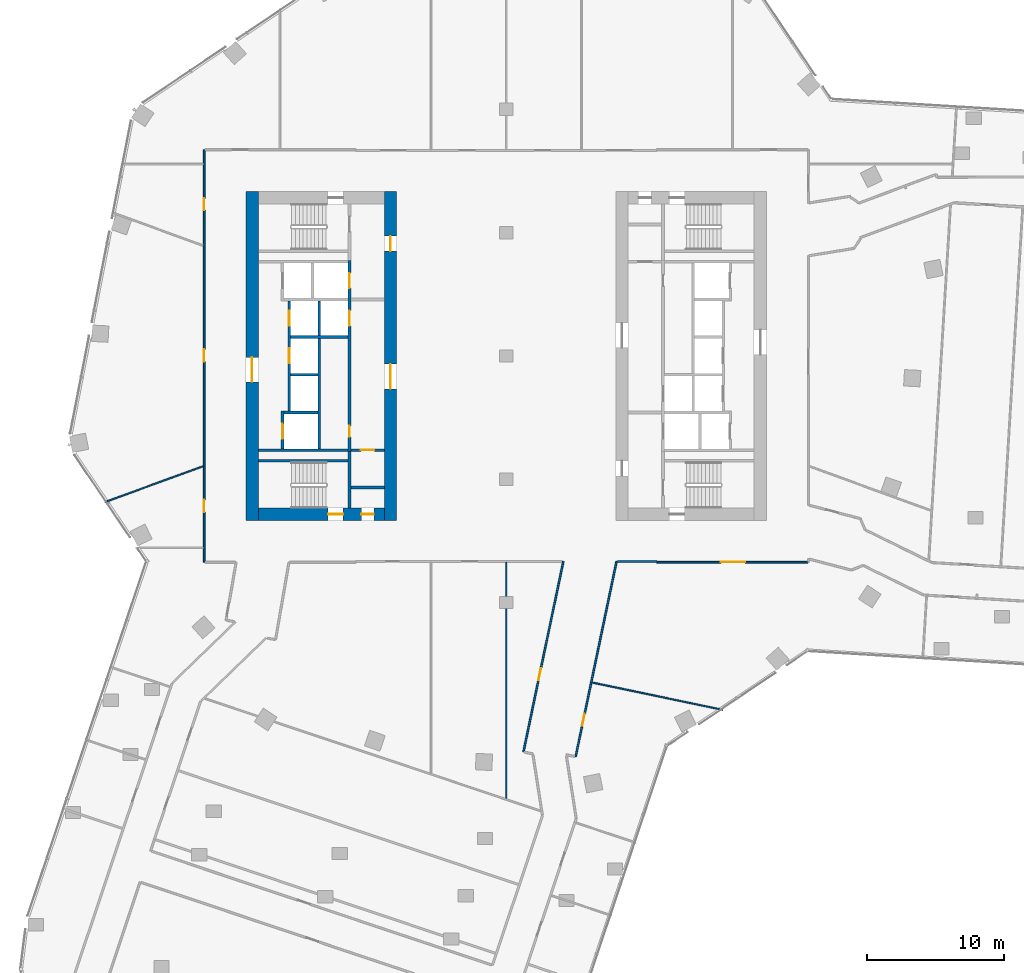
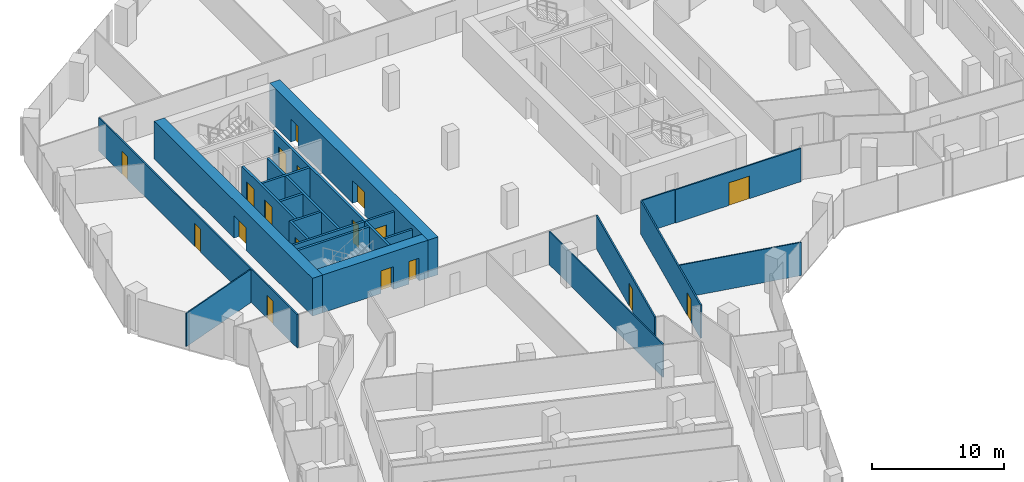
# One storey, part 23 of 32: 24 walls, 18 doors, 18 openings.
"""IFC4 building model written with IfcOpenShell, lengths in metres."""

from ifc_helpers import new_model, si_unit, direction, frame, frame_2d, origin, place, context, subcontext, project, spatial, rectangle, extrude, material, layer, layer_set, type_object, element, fill, save


model = new_model("IFC4")

# Units and contexts
model_context = context("Model", 3, precision=1e-05, world=origin(), true_north=direction((0.0, 1.0)))
body_context = subcontext(model_context, "Body", "Model", "MODEL_VIEW")
ifc_project = project(units=[si_unit("LENGTHUNIT", "METRE"), si_unit("AREAUNIT", "SQUARE_METRE"), si_unit("VOLUMEUNIT", "CUBIC_METRE"), si_unit("PLANEANGLEUNIT", "RADIAN"), si_unit("MASSUNIT", "GRAM", prefix="KILO")], contexts=[model_context])

# Site, building, storey
site_placement = place(None, origin())
site = spatial("IfcSite", under=ifc_project, at=site_placement, CompositionType="ELEMENT")
building_placement = place(site_placement, origin())
building = spatial("IfcBuilding", under=site, at=building_placement, Name="Orlundy Tower", CompositionType="ELEMENT")
storey_placement = place(building_placement, frame((0.0, 0.0, 152.60009765625)))
storey = spatial("IfcBuildingStorey", under=building, at=storey_placement, Name="L39", CompositionType="ELEMENT", Elevation=152.60009765625)

# Wall, openings, doors
ifc_material_1 = material(Name="Concrete C70/85", Category="concrete")
ifc_layer_1 = layer(ifc_material_1, 0.89990234375)
ifc_layer_set_1 = layer_set([ifc_layer_1], Name="CORE WALL 900 C70/85")
wall_type_1 = type_object("IfcWallType", Name="CORE WALL 900 C70/85", PredefinedType="SHEAR", material=ifc_layer_set_1)
wall_1_placement = place(storey_placement, frame((-18.10009765625, -11.550048828125, 0.0), z_axis=(0.0, 0.0, 1.0), x_axis=(1.0, 0.0, 0.0)))
wall_1 = element("IfcWall", 1, at=wall_1_placement, inside=storey, type_object=wall_type_1, Name="Core wall W-S L39", PredefinedType="SHEAR", context=body_context, shape_type="SweptSolid", body=[
    extrude(rectangle(XDim=9.2001953125, YDim=0.89990234375, at=frame_2d((4.60009765625, 0.0))), origin(), (0.0, 0.0, 1.0), 3.5),
])
opening_1_placement = place(wall_1_placement, frame((5.10009765625, 0.0, 0.0)))
opening_1 = element("IfcOpeningElement", 2, at=opening_1_placement, cuts=wall_1, Name="Opening 30012", PredefinedType="OPENING", context=body_context, shape_type="SweptSolid", body=[
    extrude(rectangle(XDim=1.10009765625, YDim=2.10009765625, at=frame_2d((0.550048828125, 1.050048828125))), frame((0.0, 0.4599609375, 0.0), z_axis=(0.0, -1.0, 0.0), x_axis=(1.0, 0.0, 0.0)), (0.0, 0.0, 1.0), 0.919921875),
])
opening_2_placement = place(wall_1_placement, frame((7.530029296875, 0.0, 0.0)))
opening_2 = element("IfcOpeningElement", 3, at=opening_2_placement, cuts=wall_1, Name="Opening 30014", PredefinedType="OPENING", context=body_context, shape_type="SweptSolid", body=[
    extrude(rectangle(XDim=0.89990234375, YDim=2.10009765625, at=frame_2d((0.449951171875, 1.050048828125))), frame((0.0, 0.4599609375, 0.0), z_axis=(0.0, -1.0, 0.0), x_axis=(1.0, 0.0, 0.0)), (0.0, 0.0, 1.0), 0.919921875),
])
ifc_material_2 = material(Name="Timber door set", Category="wood")
door_type_1 = type_object("IfcDoorType", Name="Room Door 900x2100", OperationType="SINGLE_SWING_LEFT", PredefinedType="DOOR", material=ifc_material_2)
door_1_placement = place(opening_2_placement, origin())
door_1 = element("IfcDoor", 4, at=door_1_placement, inside=storey, type_object=door_type_1, Name="Store door 30014", OperationType="SINGLE_SWING_RIGHT", OverallHeight=2.10009765625, OverallWidth=0.89990234375, PredefinedType="DOOR", context=body_context, shape_type="SweptSolid", body=[
    extrude(rectangle(XDim=0.89990234375, YDim=2.10009765625, at=frame_2d((0.449951171875, 1.050048828125))), frame((0.0, 0.02490234375, 0.0), z_axis=(0.0, -1.0, 0.0), x_axis=(1.0, 0.0, 0.0)), (0.0, 0.0, 1.0), 0.050048828125),
])
fill(opening_2, door_1)
ifc_material_3 = material(Name="Steel door set", Category="steel")
door_type_2 = type_object("IfcDoorType", Name="Stair Door 1100x2100", OperationType="SINGLE_SWING_LEFT", PredefinedType="DOOR", material=ifc_material_3)
door_2_placement = place(opening_1_placement, origin())
door_2 = element("IfcDoor", 5, at=door_2_placement, inside=storey, type_object=door_type_2, Name="Stair door 30012", OperationType="SINGLE_SWING_RIGHT", OverallHeight=2.10009765625, OverallWidth=1.10009765625, PredefinedType="DOOR", context=body_context, shape_type="SweptSolid", body=[
    extrude(rectangle(XDim=1.10009765625, YDim=2.10009765625, at=frame_2d((0.550048828125, 1.050048828125))), frame((0.0, 0.02490234375, 0.0), z_axis=(0.0, -1.0, 0.0), x_axis=(1.0, 0.0, 0.0)), (0.0, 0.0, 1.0), 0.050048828125),
])
fill(opening_1, door_2)

# Wall, opening, door
wall_2_placement = place(storey_placement, frame((-18.550048828125, -12.0, 0.0), z_axis=(0.0, 0.0, 1.0), x_axis=(0.0, 1.0, 0.0)))
wall_2 = element("IfcWall", 6, at=wall_2_placement, inside=storey, type_object=wall_type_1, Name="Core wall W-W L39", PredefinedType="SHEAR", context=body_context, shape_type="SweptSolid", body=[
    extrude(rectangle(XDim=24.0, YDim=0.89990234375, at=frame_2d((12.0, 0.0))), origin(), (0.0, 0.0, 1.0), 3.5),
])
opening_3_placement = place(wall_2_placement, frame((10.10009765625, 0.0, 0.0)))
opening_3 = element("IfcOpeningElement", 7, at=opening_3_placement, cuts=wall_2, Name="Opening 30009", PredefinedType="OPENING", context=body_context, shape_type="SweptSolid", body=[
    extrude(rectangle(XDim=1.800048828125, YDim=2.10009765625, at=frame_2d((0.89990234375, 1.050048828125))), frame((0.0, 0.4599609375, 0.0), z_axis=(0.0, -1.0, 0.0), x_axis=(1.0, 0.0, 0.0)), (0.0, 0.0, 1.0), 0.919921875),
])
ifc_material_4 = material(Name="Timber door set", Category="wood")
door_type_3 = type_object("IfcDoorType", Name="Lobby Door 1800x2100", OperationType="DOUBLE_DOOR_DOUBLE_SWING", PredefinedType="DOOR", material=ifc_material_4)
door_3_placement = place(opening_3_placement, origin())
door_3 = element("IfcDoor", 8, at=door_3_placement, inside=storey, type_object=door_type_3, Name="Lift lobby door 30009", OperationType="SINGLE_SWING_LEFT", OverallHeight=2.10009765625, OverallWidth=1.800048828125, PredefinedType="DOOR", context=body_context, shape_type="SweptSolid", body=[
    extrude(rectangle(XDim=1.800048828125, YDim=2.10009765625, at=frame_2d((0.89990234375, 1.050048828125))), frame((0.0, 0.02490234375, 0.0), z_axis=(0.0, -1.0, 0.0), x_axis=(1.0, 0.0, 0.0)), (0.0, 0.0, 1.0), 0.050048828125),
])
fill(opening_3, door_3)

# Wall, openings, doors
wall_3_placement = place(storey_placement, frame((-8.449951171875, -12.0, 0.0), z_axis=(0.0, 0.0, 1.0), x_axis=(0.0, 1.0, 0.0)))
wall_3 = element("IfcWall", 9, at=wall_3_placement, inside=storey, type_object=wall_type_1, Name="Core wall W-E L39", PredefinedType="SHEAR", context=body_context, shape_type="SweptSolid", body=[
    extrude(rectangle(XDim=24.0, YDim=0.89990234375, at=frame_2d((12.0, 0.0))), origin(), (0.0, 0.0, 1.0), 3.5),
])
opening_4_placement = place(wall_3_placement, frame((9.60009765625, 0.0, 0.0)))
opening_4 = element("IfcOpeningElement", 10, at=opening_4_placement, cuts=wall_3, Name="Opening 30008", PredefinedType="OPENING", context=body_context, shape_type="SweptSolid", body=[
    extrude(rectangle(XDim=1.800048828125, YDim=2.10009765625, at=frame_2d((0.89990234375, 1.050048828125))), frame((0.0, 0.4599609375, 0.0), z_axis=(0.0, -1.0, 0.0), x_axis=(1.0, 0.0, 0.0)), (0.0, 0.0, 1.0), 0.919921875),
])
opening_5_placement = place(wall_3_placement, frame((19.64990234375, 0.0, 0.0)))
opening_5 = element("IfcOpeningElement", 11, at=opening_5_placement, cuts=wall_3, Name="Opening 30010", PredefinedType="OPENING", context=body_context, shape_type="SweptSolid", body=[
    extrude(rectangle(XDim=1.10009765625, YDim=2.10009765625, at=frame_2d((0.550048828125, 1.050048828125))), frame((0.0, 0.4599609375, 0.0), z_axis=(0.0, -1.0, 0.0), x_axis=(1.0, 0.0, 0.0)), (0.0, 0.0, 1.0), 0.919921875),
])
ifc_material_5 = material(Name="Steel door set", Category="steel")
door_type_4 = type_object("IfcDoorType", Name="Fire-fighting Lobby Door 1100x2100", OperationType="SINGLE_SWING_LEFT", PredefinedType="DOOR", material=ifc_material_5)
door_4_placement = place(opening_5_placement, origin())
door_4 = element("IfcDoor", 12, at=door_4_placement, inside=storey, type_object=door_type_4, Name="Fire-fighting lobby door 30010", OperationType="SINGLE_SWING_RIGHT", OverallHeight=2.10009765625, OverallWidth=1.10009765625, PredefinedType="DOOR", context=body_context, shape_type="SweptSolid", body=[
    extrude(rectangle(XDim=1.10009765625, YDim=2.10009765625, at=frame_2d((0.550048828125, 1.050048828125))), frame((0.0, 0.02490234375, 0.0), z_axis=(0.0, -1.0, 0.0), x_axis=(1.0, 0.0, 0.0)), (0.0, 0.0, 1.0), 0.050048828125),
])
fill(opening_5, door_4)
door_5_placement = place(opening_4_placement, origin())
door_5 = element("IfcDoor", 13, at=door_5_placement, inside=storey, type_object=door_type_3, Name="Lift lobby door 30008", OperationType="SINGLE_SWING_LEFT", OverallHeight=2.10009765625, OverallWidth=1.800048828125, PredefinedType="DOOR", context=body_context, shape_type="SweptSolid", body=[
    extrude(rectangle(XDim=1.800048828125, YDim=2.10009765625, at=frame_2d((0.89990234375, 1.050048828125))), frame((0.0, 0.02490234375, 0.0), z_axis=(0.0, -1.0, 0.0), x_axis=(1.0, 0.0, 0.0)), (0.0, 0.0, 1.0), 0.050048828125),
])
fill(opening_4, door_5)

# Walls
ifc_material_6 = material(Name="Gypsum board partition")
ifc_layer_2 = layer(ifc_material_6, 0.10009765625)
ifc_layer_set_2 = layer_set([ifc_layer_2], Name="Floor partition 100")
wall_type_2 = type_object("IfcWallType", Name="Floor partition 100", PredefinedType="PARTITIONING", material=ifc_layer_set_2)
wall_4_placement = place(storey_placement, frame((6.262939453125, -23.8349609375, 0.0), z_axis=(0.0, 0.0, 1.0), x_axis=(0.978787353233, -0.204878786483, 0.0)))
element("IfcWall", 14, at=wall_4_placement, inside=storey, type_object=wall_type_2, Name="wall-int-L39-031", PredefinedType="PARTITIONING", context=body_context, shape_type="SweptSolid", body=[
    extrude(rectangle(XDim=9.742919921875, YDim=0.10009765625, at=frame_2d((4.87158203125, 0.0))), origin(), (0.0, 0.0, 1.0), 3.079833984375),
])
wall_5_placement = place(storey_placement, frame((-29.2958984375, -10.6630859375, 0.0), z_axis=(0.0, 0.0, 1.0), x_axis=(0.9396952375, 0.342012953877, 0.0)))
element("IfcWall", 15, at=wall_5_placement, inside=storey, type_object=wall_type_2, Name="wall-int-L39-060", PredefinedType="PARTITIONING", context=body_context, shape_type="SweptSolid", body=[
    extrude(rectangle(XDim=7.6259765625, YDim=0.10009765625, at=frame_2d((3.81298828125, 0.0))), origin(), (0.0, 0.0, 1.0), 3.079833984375),
])
wall_6_placement = place(storey_placement, frame((0.0, -32.297119140625, 0.0), z_axis=(0.0, 0.0, 1.0), x_axis=(0.0, 1.0, 0.0)))
element("IfcWall", 16, at=wall_6_placement, inside=storey, type_object=wall_type_2, Name="wall-int-L39-101", PredefinedType="PARTITIONING", context=body_context, shape_type="SweptSolid", body=[
    extrude(rectangle(XDim=17.235107421875, YDim=0.10009765625, at=frame_2d((8.61767578125, 0.0))), origin(), (0.0, 0.0, 1.0), 3.079833984375),
])

# Wall, opening, door
ifc_material_7 = material(Name="Gypsum board partition, double layer")
ifc_layer_3 = layer(ifc_material_7, 0.125)
ifc_layer_set_3 = layer_set([ifc_layer_3], Name="Floor partition 125")
wall_type_3 = type_object("IfcWallType", Name="Floor partition 125", PredefinedType="PARTITIONING", material=ifc_layer_set_3)
wall_7_placement = place(storey_placement, frame((21.988037109375, -15.051025390625, 0.0), z_axis=(0.0, 0.0, 1.0), x_axis=(-1.0, 0.0, 0.0)))
wall_7 = element("IfcWall", 17, at=wall_7_placement, inside=storey, type_object=wall_type_3, Name="wall-int-L39-048", PredefinedType="PARTITIONING", context=body_context, shape_type="SweptSolid", body=[
    extrude(rectangle(XDim=10.9970703125, YDim=0.125, at=frame_2d((5.49853515625, 0.0))), origin(), (0.0, 0.0, 1.0), 3.079833984375),
])
opening_6_placement = place(wall_7_placement, frame((4.53759765625, 0.0, 0.0)))
opening_6 = element("IfcOpeningElement", 18, at=opening_6_placement, cuts=wall_7, Name="Opening 30125", PredefinedType="OPENING", context=body_context, shape_type="SweptSolid", body=[
    extrude(rectangle(XDim=1.800048828125, YDim=2.10009765625, at=frame_2d((0.89990234375, 1.050048828125))), frame((0.0, 0.072509765625, 0.0), z_axis=(0.0, -1.0, 0.0), x_axis=(1.0, 0.0, 0.0)), (0.0, 0.0, 1.0), 0.14501953125),
])
ifc_material_8 = material(Name="Timber door leaf", Category="wood")
door_type_5 = type_object("IfcDoorType", Name="Floor door double 1800 FD30S", OperationType="NOTDEFINED", PredefinedType="DOOR", material=ifc_material_8)
door_6_placement = place(opening_6_placement, origin())
door_6 = element("IfcDoor", 19, at=door_6_placement, inside=storey, type_object=door_type_5, Name="Door 30125", OperationType="DOUBLE_DOOR_SINGLE_SWING", OverallHeight=2.10009765625, OverallWidth=1.800048828125, PredefinedType="DOOR", context=body_context, shape_type="SweptSolid", body=[
    extrude(rectangle(XDim=1.800048828125, YDim=2.10009765625, at=frame_2d((0.89990234375, 1.050048828125))), frame((0.0, 0.02490234375, 0.0), z_axis=(0.0, -1.0, 0.0), x_axis=(1.0, 0.0, 0.0)), (0.0, 0.0, 1.0), 0.050048828125),
])
fill(opening_6, door_6)

# Wall
wall_8_placement = place(storey_placement, frame((8.125, -15.0, 0.0), z_axis=(0.0, 0.0, 1.0), x_axis=(0.999999941907, -0.000340860653, 0.0)))
element("IfcWall", 20, at=wall_8_placement, inside=storey, type_object=wall_type_3, Name="wall-int-L39-050", PredefinedType="PARTITIONING", context=body_context, shape_type="SweptSolid", body=[
    extrude(rectangle(XDim=2.864990234375, YDim=0.125, at=frame_2d((1.4326171875, 0.0))), origin(), (0.0, 0.0, 1.0), 3.079833984375),
])

# Wall, opening, door
wall_9_placement = place(storey_placement, frame((8.049072265625, -15.0029296875, 0.0), z_axis=(0.0, 0.0, 1.0), x_axis=(-0.205007019442, -0.97876050287, 0.0)))
wall_9 = element("IfcWall", 21, at=wall_9_placement, inside=storey, type_object=wall_type_3, Name="wall-int-L39-078", PredefinedType="PARTITIONING", context=body_context, shape_type="SweptSolid", body=[
    extrude(rectangle(XDim=14.55615234375, YDim=0.125, at=frame_2d((7.278076171875, 0.0))), origin(), (0.0, 0.0, 1.0), 3.079833984375),
])
opening_7_placement = place(wall_9_placement, frame((11.360107421875, 0.0, 0.0)))
opening_7 = element("IfcOpeningElement", 22, at=opening_7_placement, cuts=wall_9, Name="Opening 30124", PredefinedType="OPENING", context=body_context, shape_type="SweptSolid", body=[
    extrude(rectangle(XDim=0.89990234375, YDim=2.10009765625, at=frame_2d((0.449951171875, 1.050048828125))), frame((0.0, 0.072509765625, 0.0), z_axis=(0.0, -1.0, 0.0), x_axis=(1.0, 0.0, 0.0)), (0.0, 0.0, 1.0), 0.14501953125),
])
ifc_material_9 = material(Name="Timber door leaf", Category="wood")
door_type_6 = type_object("IfcDoorType", Name="Floor door single 900 FD30S", OperationType="NOTDEFINED", PredefinedType="DOOR", material=ifc_material_9)
door_7_placement = place(opening_7_placement, origin())
door_7 = element("IfcDoor", 23, at=door_7_placement, inside=storey, type_object=door_type_6, Name="Door 30124", OperationType="SINGLE_SWING_RIGHT", OverallHeight=2.10009765625, OverallWidth=0.89990234375, PredefinedType="DOOR", context=body_context, shape_type="SweptSolid", body=[
    extrude(rectangle(XDim=0.89990234375, YDim=2.10009765625, at=frame_2d((0.449951171875, 1.050048828125))), frame((0.0, 0.02490234375, 0.0), z_axis=(0.0, -1.0, 0.0), x_axis=(1.0, 0.0, 0.0)), (0.0, 0.0, 1.0), 0.050048828125),
])
fill(opening_7, door_7)

wall_10_placement = place(storey_placement, frame((1.2548828125, -28.89990234375, 0.0), z_axis=(0.0, 0.0, 1.0), x_axis=(0.204949727958, 0.978772501151, 0.0)))
wall_10 = element("IfcWall", 24, at=wall_10_placement, inside=storey, type_object=wall_type_3, Name="wall-int-L39-079", PredefinedType="PARTITIONING", context=body_context, shape_type="SweptSolid", body=[
    extrude(rectangle(XDim=14.199462890625, YDim=0.125, at=frame_2d((7.099609375, 0.0))), origin(), (0.0, 0.0, 1.0), 3.079833984375),
])
opening_8_placement = place(wall_10_placement, frame((5.35009765625, 0.0, 0.0)))
opening_8 = element("IfcOpeningElement", 25, at=opening_8_placement, cuts=wall_10, Name="Opening 30123", PredefinedType="OPENING", context=body_context, shape_type="SweptSolid", body=[
    extrude(rectangle(XDim=0.89990234375, YDim=2.10009765625, at=frame_2d((0.449951171875, 1.050048828125))), frame((0.0, 0.072509765625, 0.0), z_axis=(0.0, -1.0, 0.0), x_axis=(1.0, 0.0, 0.0)), (0.0, 0.0, 1.0), 0.14501953125),
])
door_8_placement = place(opening_8_placement, origin())
door_8 = element("IfcDoor", 26, at=door_8_placement, inside=storey, type_object=door_type_6, Name="Door 30123", OperationType="SINGLE_SWING_LEFT", OverallHeight=2.10009765625, OverallWidth=0.89990234375, PredefinedType="DOOR", context=body_context, shape_type="SweptSolid", body=[
    extrude(rectangle(XDim=0.89990234375, YDim=2.10009765625, at=frame_2d((0.449951171875, 1.050048828125))), frame((0.0, 0.02490234375, 0.0), z_axis=(0.0, -1.0, 0.0), x_axis=(1.0, 0.0, 0.0)), (0.0, 0.0, 1.0), 0.050048828125),
])
fill(opening_8, door_8)

# Wall, openings, doors
wall_11_placement = place(storey_placement, frame((-22.050048828125, -15.051025390625, 0.0), z_axis=(0.0, 0.0, 1.0), x_axis=(0.0, 1.0, 0.0)))
wall_11 = element("IfcWall", 27, at=wall_11_placement, inside=storey, type_object=wall_type_3, Name="wall-int-L39-105", PredefinedType="PARTITIONING", context=body_context, shape_type="SweptSolid", body=[
    extrude(rectangle(XDim=30.10205078125, YDim=0.125, at=frame_2d((15.051025390625, 0.0))), origin(), (0.0, 0.0, 1.0), 3.079833984375),
])
opening_9_placement = place(wall_11_placement, frame((14.625, 0.0, 0.0)))
opening_9 = element("IfcOpeningElement", 28, at=opening_9_placement, cuts=wall_11, Name="Opening 30118", PredefinedType="OPENING", context=body_context, shape_type="SweptSolid", body=[
    extrude(rectangle(XDim=0.89990234375, YDim=2.10009765625, at=frame_2d((0.449951171875, 1.050048828125))), frame((0.0, 0.072509765625, 0.0), z_axis=(0.0, -1.0, 0.0), x_axis=(1.0, 0.0, 0.0)), (0.0, 0.0, 1.0), 0.14501953125),
])
opening_10_placement = place(wall_11_placement, frame((3.65087890625, 0.0, 0.0)))
opening_10 = element("IfcOpeningElement", 29, at=opening_10_placement, cuts=wall_11, Name="Opening 30119", PredefinedType="OPENING", context=body_context, shape_type="SweptSolid", body=[
    extrude(rectangle(XDim=0.89990234375, YDim=2.10009765625, at=frame_2d((0.449951171875, 1.050048828125))), frame((0.0, 0.072509765625, 0.0), z_axis=(0.0, -1.0, 0.0), x_axis=(1.0, 0.0, 0.0)), (0.0, 0.0, 1.0), 0.14501953125),
])
opening_11_placement = place(wall_11_placement, frame((25.677001953125, 0.0, 0.0)))
opening_11 = element("IfcOpeningElement", 30, at=opening_11_placement, cuts=wall_11, Name="Opening 30135", PredefinedType="OPENING", context=body_context, shape_type="SweptSolid", body=[
    extrude(rectangle(XDim=0.89990234375, YDim=2.10009765625, at=frame_2d((0.449951171875, 1.050048828125))), frame((0.0, 0.072509765625, 0.0), z_axis=(0.0, -1.0, 0.0), x_axis=(1.0, 0.0, 0.0)), (0.0, 0.0, 1.0), 0.14501953125),
])
door_9_placement = place(opening_9_placement, origin())
door_9 = element("IfcDoor", 31, at=door_9_placement, inside=storey, type_object=door_type_6, Name="Door 30118", OperationType="SINGLE_SWING_RIGHT", OverallHeight=2.10009765625, OverallWidth=0.89990234375, PredefinedType="DOOR", context=body_context, shape_type="SweptSolid", body=[
    extrude(rectangle(XDim=0.89990234375, YDim=2.10009765625, at=frame_2d((0.449951171875, 1.050048828125))), frame((0.0, 0.02490234375, 0.0), z_axis=(0.0, -1.0, 0.0), x_axis=(1.0, 0.0, 0.0)), (0.0, 0.0, 1.0), 0.050048828125),
])
fill(opening_9, door_9)
door_10_placement = place(opening_10_placement, origin())
door_10 = element("IfcDoor", 32, at=door_10_placement, inside=storey, type_object=door_type_6, Name="Door 30119", OperationType="SINGLE_SWING_LEFT", OverallHeight=2.10009765625, OverallWidth=0.89990234375, PredefinedType="DOOR", context=body_context, shape_type="SweptSolid", body=[
    extrude(rectangle(XDim=0.89990234375, YDim=2.10009765625, at=frame_2d((0.449951171875, 1.050048828125))), frame((0.0, 0.02490234375, 0.0), z_axis=(0.0, -1.0, 0.0), x_axis=(1.0, 0.0, 0.0)), (0.0, 0.0, 1.0), 0.050048828125),
])
fill(opening_10, door_10)
door_11_placement = place(opening_11_placement, origin())
door_11 = element("IfcDoor", 33, at=door_11_placement, inside=storey, type_object=door_type_6, Name="Door 30135", OperationType="SINGLE_SWING_RIGHT", OverallHeight=2.10009765625, OverallWidth=0.89990234375, PredefinedType="DOOR", context=body_context, shape_type="SweptSolid", body=[
    extrude(rectangle(XDim=0.89990234375, YDim=2.10009765625, at=frame_2d((0.449951171875, 1.050048828125))), frame((0.0, 0.02490234375, 0.0), z_axis=(0.0, -1.0, 0.0), x_axis=(1.0, 0.0, 0.0)), (0.0, 0.0, 1.0), 0.050048828125),
])
fill(opening_11, door_11)

# Walls
ifc_material_10 = material(Name="Concrete C40/50", Category="concrete")
ifc_layer_4 = layer(ifc_material_10, 0.199951171875)
ifc_layer_set_4 = layer_set([ifc_layer_4], Name="Load-bearing Shaft Wall 200")
wall_type_4 = type_object("IfcWallType", Name="Load-bearing Shaft Wall 200", PredefinedType="SOLIDWALL", material=ifc_layer_set_4)
wall_12_placement = place(storey_placement, frame((-11.43994140625, -11.10009765625, 0.0), z_axis=(0.0, 0.0, 1.0), x_axis=(0.0, 1.0, 0.0)))
element("IfcWall", 34, at=wall_12_placement, inside=storey, type_object=wall_type_4, Name="Shaft wall W30-stair-end-s", PredefinedType="SOLIDWALL", context=body_context, shape_type="SweptSolid", body=[
    extrude(rectangle(XDim=4.125, YDim=0.199951171875, at=frame_2d((2.0625, 0.0))), origin(), (0.0, 0.0, 1.0), 3.08984375),
])
wall_13_placement = place(storey_placement, frame((-11.5400390625, -7.64990234375, 0.0), z_axis=(0.0, 0.0, 1.0), x_axis=(-1.0, 0.0, 0.0)))
element("IfcWall", 35, at=wall_13_placement, inside=storey, type_object=wall_type_4, Name="Shaft wall W30-stair-side-s", PredefinedType="SOLIDWALL", context=body_context, shape_type="SweptSolid", body=[
    extrude(rectangle(XDim=6.56005859375, YDim=0.199951171875, at=frame_2d((3.280029296875, 0.0))), origin(), (0.0, 0.0, 1.0), 3.08984375),
])

# Wall, opening, door
ifc_material_11 = material(Name="Gypsum board partition on steel studs", Category="steel")
ifc_layer_5 = layer(ifc_material_11, 0.199951171875)
ifc_layer_set_5 = layer_set([ifc_layer_5], Name="Partition 200")
wall_type_5 = type_object("IfcWallType", Name="Partition 200", PredefinedType="PARTITIONING", material=ifc_layer_set_5)
wall_14_placement = place(storey_placement, frame((-8.89990234375, -6.875, 0.0), z_axis=(0.0, 0.0, 1.0), x_axis=(-1.0, 0.0, 0.0)))
wall_14 = element("IfcWall", 36, at=wall_14_placement, inside=storey, type_object=wall_type_5, Name="Partition wall W30-end-s", PredefinedType="PARTITIONING", context=body_context, shape_type="SweptSolid", body=[
    extrude(rectangle(XDim=2.440185546875, YDim=0.199951171875, at=frame_2d((1.22021484375, 0.0))), origin(), (0.0, 0.0, 1.0), 3.08984375),
])
opening_12_placement = place(wall_14_placement, frame((0.719970703125, 0.0, 0.0)))
opening_12 = element("IfcOpeningElement", 37, at=opening_12_placement, cuts=wall_14, Name="Opening 30015", PredefinedType="OPENING", context=body_context, shape_type="SweptSolid", body=[
    extrude(rectangle(XDim=1.0, YDim=2.10009765625, at=frame_2d((0.5, 1.050048828125))), frame((0.0, 0.110107421875, 0.0), z_axis=(0.0, -1.0, 0.0), x_axis=(1.0, 0.0, 0.0)), (0.0, 0.0, 1.0), 0.22021484375),
])
ifc_material_12 = material(Name="Timber door set", Category="wood")
door_type_7 = type_object("IfcDoorType", Name="Accessible Door 1000x2100", OperationType="SINGLE_SWING_LEFT", PredefinedType="DOOR", material=ifc_material_12)
door_12_placement = place(opening_12_placement, origin())
door_12 = element("IfcDoor", 38, at=door_12_placement, inside=storey, type_object=door_type_7, Name="Accessible WC door 30015", OperationType="SINGLE_SWING_RIGHT", OverallHeight=2.10009765625, OverallWidth=1.0, PredefinedType="DOOR", context=body_context, shape_type="SweptSolid", body=[
    extrude(rectangle(XDim=1.0, YDim=2.10009765625, at=frame_2d((0.5, 1.050048828125))), frame((0.0, 0.02490234375, 0.0), z_axis=(0.0, -1.0, 0.0), x_axis=(1.0, 0.0, 0.0)), (0.0, 0.0, 1.0), 0.050048828125),
])
fill(opening_12, door_12)

# Walls
wall_15_placement = place(storey_placement, frame((-8.89990234375, -9.60009765625, 0.0), z_axis=(0.0, 0.0, 1.0), x_axis=(-1.0, 0.0, 0.0)))
element("IfcWall", 39, at=wall_15_placement, inside=storey, type_object=wall_type_5, Name="Partition wall W30-room-s0", PredefinedType="PARTITIONING", context=body_context, shape_type="SweptSolid", body=[
    extrude(rectangle(XDim=2.440185546875, YDim=0.199951171875, at=frame_2d((1.22021484375, 0.0))), origin(), (0.0, 0.0, 1.0), 3.08984375),
])
ifc_material_13 = material(Name="Fire-rated blockwork shaft wall", Category="masonry")
ifc_layer_6 = layer(ifc_material_13, 0.199951171875)
ifc_layer_set_6 = layer_set([ifc_layer_6], Name="Shaft Wall 200")
wall_type_6 = type_object("IfcWallType", Name="Shaft Wall 200", PredefinedType="SOLIDWALL", material=ifc_layer_set_6)
wall_16_placement = place(storey_placement, frame((-11.5400390625, -6.875, 0.0), z_axis=(0.0, 0.0, 1.0), x_axis=(-1.0, 0.0, 0.0)))
element("IfcWall", 40, at=wall_16_placement, inside=storey, type_object=wall_type_6, Name="Shaft wall W30-zone-s", PredefinedType="SOLIDWALL", context=body_context, shape_type="SweptSolid", body=[
    extrude(rectangle(XDim=6.56005859375, YDim=0.199951171875, at=frame_2d((3.280029296875, 0.0))), origin(), (0.0, 0.0, 1.0), 3.08984375),
])
wall_17_placement = place(storey_placement, frame((-13.739990234375, -4.125, 0.0), z_axis=(0.0, 0.0, 1.0), x_axis=(-1.0, 0.0, 0.0)))
element("IfcWall", 41, at=wall_17_placement, inside=storey, type_object=wall_type_6, Name="Shaft wall W30-cross-4.125", PredefinedType="SOLIDWALL", context=body_context, shape_type="SweptSolid", body=[
    extrude(rectangle(XDim=2.5, YDim=0.199951171875, at=frame_2d((1.25, 0.0))), origin(), (0.0, 0.0, 1.0), 3.08984375),
])
wall_18_placement = place(storey_placement, frame((-13.739990234375, -1.375, 0.0), z_axis=(0.0, 0.0, 1.0), x_axis=(-1.0, 0.0, 0.0)))
element("IfcWall", 42, at=wall_18_placement, inside=storey, type_object=wall_type_6, Name="Shaft wall W30-cross-1.375", PredefinedType="SOLIDWALL", context=body_context, shape_type="SweptSolid", body=[
    extrude(rectangle(XDim=2.0, YDim=0.199951171875, at=frame_2d((1.0, 0.0))), origin(), (0.0, 0.0, 1.0), 3.08984375),
])
wall_19_placement = place(storey_placement, frame((-11.5400390625, 1.375, 0.0), z_axis=(0.0, 0.0, 1.0), x_axis=(-1.0, 0.0, 0.0)))
element("IfcWall", 43, at=wall_19_placement, inside=storey, type_object=wall_type_6, Name="Shaft wall W30-cross+1.375", PredefinedType="SOLIDWALL", context=body_context, shape_type="SweptSolid", body=[
    extrude(rectangle(XDim=4.199951171875, YDim=0.199951171875, at=frame_2d((2.10009765625, 0.0))), origin(), (0.0, 0.0, 1.0), 3.08984375),
])

# Wall, openings, doors
wall_20_placement = place(storey_placement, frame((-11.43994140625, -6.97509765625, 0.0), z_axis=(0.0, 0.0, 1.0), x_axis=(0.0, 1.0, 0.0)))
wall_20 = element("IfcWall", 44, at=wall_20_placement, inside=storey, type_object=wall_type_6, Name="Shaft wall W30-front-h", PredefinedType="SOLIDWALL", context=body_context, shape_type="SweptSolid", body=[
    extrude(rectangle(XDim=13.9501953125, YDim=0.199951171875, at=frame_2d((6.97509765625, 0.0))), origin(), (0.0, 0.0, 1.0), 3.08984375),
])
opening_13_placement = place(wall_20_placement, frame((9.175048828125, 0.0, 0.0)))
opening_13 = element("IfcOpeningElement", 45, at=opening_13_placement, cuts=wall_20, Name="Opening 30003", PredefinedType="OPENING", context=body_context, shape_type="SweptSolid", body=[
    extrude(rectangle(XDim=1.10009765625, YDim=2.10009765625, at=frame_2d((0.550048828125, 1.050048828125))), frame((0.0, 0.110107421875, 0.0), z_axis=(0.0, -1.0, 0.0), x_axis=(1.0, 0.0, 0.0)), (0.0, 0.0, 1.0), 0.22021484375),
])
opening_14_placement = place(wall_20_placement, frame((11.925048828125, 0.0, 0.0)))
opening_14 = element("IfcOpeningElement", 46, at=opening_14_placement, cuts=wall_20, Name="Opening 30005", PredefinedType="OPENING", context=body_context, shape_type="SweptSolid", body=[
    extrude(rectangle(XDim=1.10009765625, YDim=2.10009765625, at=frame_2d((0.550048828125, 1.050048828125))), frame((0.0, 0.110107421875, 0.0), z_axis=(0.0, -1.0, 0.0), x_axis=(1.0, 0.0, 0.0)), (0.0, 0.0, 1.0), 0.22021484375),
])
opening_15_placement = place(wall_20_placement, frame((1.074951171875, 0.0, 0.0)))
opening_15 = element("IfcOpeningElement", 47, at=opening_15_placement, cuts=wall_20, Name="Opening 30007", PredefinedType="OPENING", context=body_context, shape_type="SweptSolid", body=[
    extrude(rectangle(XDim=0.800048828125, YDim=2.10009765625, at=frame_2d((0.39990234375, 1.050048828125))), frame((0.0, 0.110107421875, 0.0), z_axis=(0.0, -1.0, 0.0), x_axis=(1.0, 0.0, 0.0)), (0.0, 0.0, 1.0), 0.22021484375),
])
ifc_material_14 = material(Name="Steel door set", Category="steel")
door_type_8 = type_object("IfcDoorType", Name="Landing Door 1100x2100", OperationType="DOUBLE_DOOR_SLIDING", PredefinedType="DOOR", material=ifc_material_14)
door_13_placement = place(opening_13_placement, origin())
door_13 = element("IfcDoor", 48, at=door_13_placement, inside=storey, type_object=door_type_8, Name="Lift landing door LP-12 30003", OperationType="DOUBLE_DOOR_SLIDING", OverallHeight=2.10009765625, OverallWidth=1.10009765625, PredefinedType="DOOR", context=body_context, shape_type="SweptSolid", body=[
    extrude(rectangle(XDim=1.10009765625, YDim=2.10009765625, at=frame_2d((0.550048828125, 1.050048828125))), frame((0.0, 0.02490234375, 0.0), z_axis=(0.0, -1.0, 0.0), x_axis=(1.0, 0.0, 0.0)), (0.0, 0.0, 1.0), 0.050048828125),
])
fill(opening_13, door_13)
door_14_placement = place(opening_14_placement, origin())
door_14 = element("IfcDoor", 49, at=door_14_placement, inside=storey, type_object=door_type_8, Name="Lift landing door FL1 30005", OperationType="DOUBLE_DOOR_SLIDING", OverallHeight=2.10009765625, OverallWidth=1.10009765625, PredefinedType="DOOR", context=body_context, shape_type="SweptSolid", body=[
    extrude(rectangle(XDim=1.10009765625, YDim=2.10009765625, at=frame_2d((0.550048828125, 1.050048828125))), frame((0.0, 0.02490234375, 0.0), z_axis=(0.0, -1.0, 0.0), x_axis=(1.0, 0.0, 0.0)), (0.0, 0.0, 1.0), 0.050048828125),
])
fill(opening_14, door_14)
ifc_material_15 = material(Name="Timber door set", Category="wood")
door_type_9 = type_object("IfcDoorType", Name="Riser Door 800x2100", OperationType="SINGLE_SWING_LEFT", PredefinedType="DOOR", material=ifc_material_15)
door_15_placement = place(opening_15_placement, origin())
door_15 = element("IfcDoor", 50, at=door_15_placement, inside=storey, type_object=door_type_9, Name="Electrical Riser Room door 30007", OperationType="SINGLE_SWING_LEFT", OverallHeight=2.10009765625, OverallWidth=0.800048828125, PredefinedType="DOOR", context=body_context, shape_type="SweptSolid", body=[
    extrude(rectangle(XDim=0.800048828125, YDim=2.10009765625, at=frame_2d((0.39990234375, 1.050048828125))), frame((0.0, 0.02490234375, 0.0), z_axis=(0.0, -1.0, 0.0), x_axis=(1.0, 0.0, 0.0)), (0.0, 0.0, 1.0), 0.050048828125),
])
fill(opening_15, door_15)

# Walls
wall_21_placement = place(storey_placement, frame((-13.639892578125, -6.77490234375, 0.0), z_axis=(0.0, 0.0, 1.0), x_axis=(0.0, 1.0, 0.0)))
element("IfcWall", 51, at=wall_21_placement, inside=storey, type_object=wall_type_6, Name="Shaft wall W30-mid-a", PredefinedType="SOLIDWALL", context=body_context, shape_type="SweptSolid", body=[
    extrude(rectangle(XDim=8.0498046875, YDim=0.199951171875, at=frame_2d((4.02490234375, 0.0))), origin(), (0.0, 0.0, 1.0), 3.08984375),
])
wall_22_placement = place(storey_placement, frame((-13.639892578125, 1.47509765625, 0.0), z_axis=(0.0, 0.0, 1.0), x_axis=(0.0, 1.0, 0.0)))
element("IfcWall", 52, at=wall_22_placement, inside=storey, type_object=wall_type_6, Name="Shaft wall W30-mid-a.1", PredefinedType="SOLIDWALL", context=body_context, shape_type="SweptSolid", body=[
    extrude(rectangle(XDim=2.5498046875, YDim=0.199951171875, at=frame_2d((1.27490234375, 0.0))), origin(), (0.0, 0.0, 1.0), 3.08984375),
])

# Wall, opening, door
wall_23_placement = place(storey_placement, frame((-16.340087890625, -6.77490234375, 0.0), z_axis=(0.0, 0.0, 1.0), x_axis=(0.0, 1.0, 0.0)))
wall_23 = element("IfcWall", 53, at=wall_23_placement, inside=storey, type_object=wall_type_6, Name="Shaft wall W30-front-o-a", PredefinedType="SOLIDWALL", context=body_context, shape_type="SweptSolid", body=[
    extrude(rectangle(XDim=2.75, YDim=0.199951171875, at=frame_2d((1.375, 0.0))), origin(), (0.0, 0.0, 1.0), 3.08984375),
])
opening_16_placement = place(wall_23_placement, frame((0.72509765625, 0.0, 0.0)))
opening_16 = element("IfcOpeningElement", 54, at=opening_16_placement, cuts=wall_23, Name="Opening 30001", PredefinedType="OPENING", context=body_context, shape_type="SweptSolid", body=[
    extrude(rectangle(XDim=1.10009765625, YDim=2.10009765625, at=frame_2d((0.550048828125, 1.050048828125))), frame((0.0, 0.110107421875, 0.0), z_axis=(0.0, -1.0, 0.0), x_axis=(1.0, 0.0, 0.0)), (0.0, 0.0, 1.0), 0.22021484375),
])
door_16_placement = place(opening_16_placement, origin())
door_16 = element("IfcDoor", 55, at=door_16_placement, inside=storey, type_object=door_type_8, Name="Lift landing door LV-01 30001", OperationType="DOUBLE_DOOR_SLIDING", OverallHeight=2.10009765625, OverallWidth=1.10009765625, PredefinedType="DOOR", context=body_context, shape_type="SweptSolid", body=[
    extrude(rectangle(XDim=1.10009765625, YDim=2.10009765625, at=frame_2d((0.550048828125, 1.050048828125))), frame((0.0, 0.02490234375, 0.0), z_axis=(0.0, -1.0, 0.0), x_axis=(1.0, 0.0, 0.0)), (0.0, 0.0, 1.0), 0.050048828125),
])
fill(opening_16, door_16)

# Wall, openings, doors
wall_24_placement = place(storey_placement, frame((-15.840087890625, -4.02490234375, 0.0), z_axis=(0.0, 0.0, 1.0), x_axis=(0.0, 1.0, 0.0)))
wall_24 = element("IfcWall", 56, at=wall_24_placement, inside=storey, type_object=wall_type_6, Name="Shaft wall W30-front-o-b", PredefinedType="SOLIDWALL", context=body_context, shape_type="SweptSolid", body=[
    extrude(rectangle(XDim=8.0498046875, YDim=0.199951171875, at=frame_2d((4.02490234375, 0.0))), origin(), (0.0, 0.0, 1.0), 3.08984375),
])
opening_17_placement = place(wall_24_placement, frame((3.47509765625, 0.0, 0.0)))
opening_17 = element("IfcOpeningElement", 57, at=opening_17_placement, cuts=wall_24, Name="Opening 30002", PredefinedType="OPENING", context=body_context, shape_type="SweptSolid", body=[
    extrude(rectangle(XDim=1.10009765625, YDim=2.10009765625, at=frame_2d((0.550048828125, 1.050048828125))), frame((0.0, 0.110107421875, 0.0), z_axis=(0.0, -1.0, 0.0), x_axis=(1.0, 0.0, 0.0)), (0.0, 0.0, 1.0), 0.22021484375),
])
opening_18_placement = place(wall_24_placement, frame((6.22509765625, 0.0, 0.0)))
opening_18 = element("IfcOpeningElement", 58, at=opening_18_placement, cuts=wall_24, Name="Opening 30004", PredefinedType="OPENING", context=body_context, shape_type="SweptSolid", body=[
    extrude(rectangle(XDim=1.10009765625, YDim=2.10009765625, at=frame_2d((0.550048828125, 1.050048828125))), frame((0.0, 0.110107421875, 0.0), z_axis=(0.0, -1.0, 0.0), x_axis=(1.0, 0.0, 0.0)), (0.0, 0.0, 1.0), 0.22021484375),
])
door_17_placement = place(opening_17_placement, origin())
door_17 = element("IfcDoor", 59, at=door_17_placement, inside=storey, type_object=door_type_8, Name="Lift landing door LP-11 30002", OperationType="DOUBLE_DOOR_SLIDING", OverallHeight=2.10009765625, OverallWidth=1.10009765625, PredefinedType="DOOR", context=body_context, shape_type="SweptSolid", body=[
    extrude(rectangle(XDim=1.10009765625, YDim=2.10009765625, at=frame_2d((0.550048828125, 1.050048828125))), frame((0.0, 0.02490234375, 0.0), z_axis=(0.0, -1.0, 0.0), x_axis=(1.0, 0.0, 0.0)), (0.0, 0.0, 1.0), 0.050048828125),
])
fill(opening_17, door_17)
door_18_placement = place(opening_18_placement, origin())
door_18 = element("IfcDoor", 60, at=door_18_placement, inside=storey, type_object=door_type_8, Name="Lift landing door LP-13 30004", OperationType="DOUBLE_DOOR_SLIDING", OverallHeight=2.10009765625, OverallWidth=1.10009765625, PredefinedType="DOOR", context=body_context, shape_type="SweptSolid", body=[
    extrude(rectangle(XDim=1.10009765625, YDim=2.10009765625, at=frame_2d((0.550048828125, 1.050048828125))), frame((0.0, 0.02490234375, 0.0), z_axis=(0.0, -1.0, 0.0), x_axis=(1.0, 0.0, 0.0)), (0.0, 0.0, 1.0), 0.050048828125),
])
fill(opening_18, door_18)

save(model, "model.ifc")
